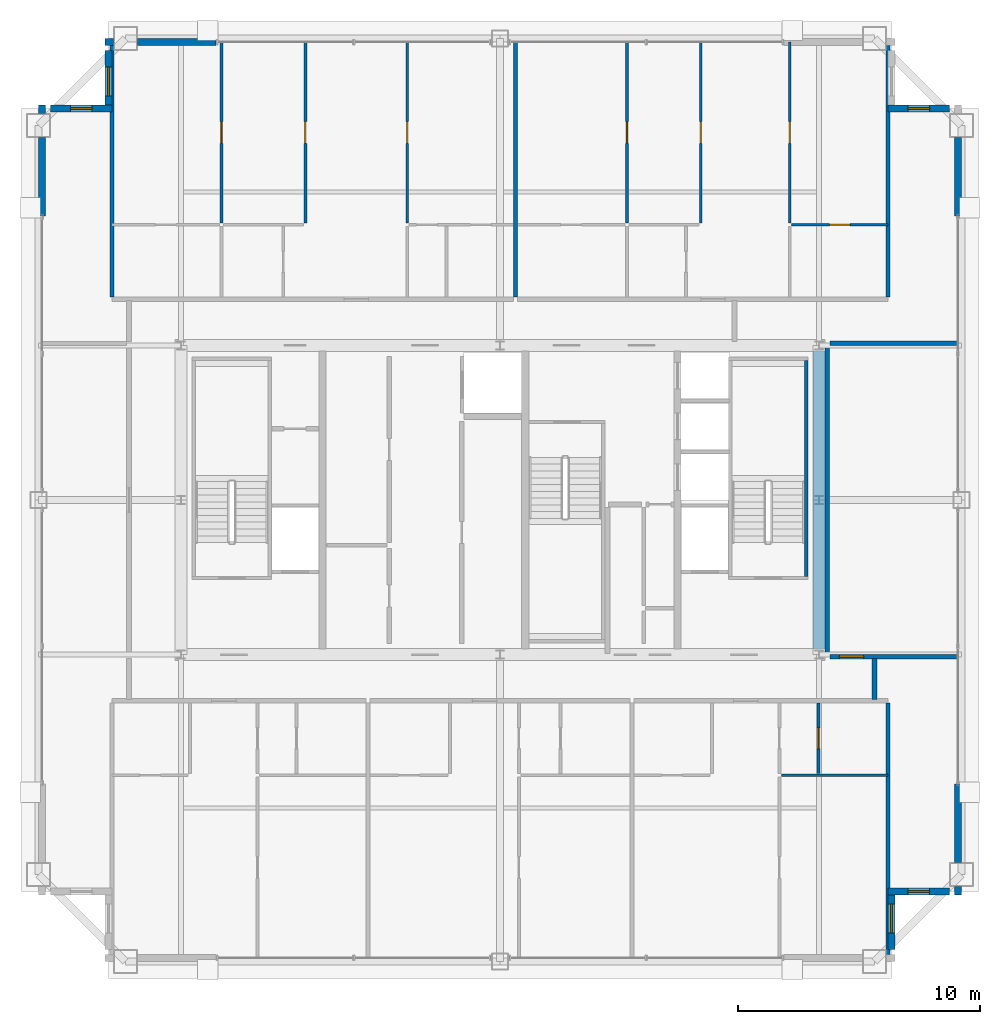
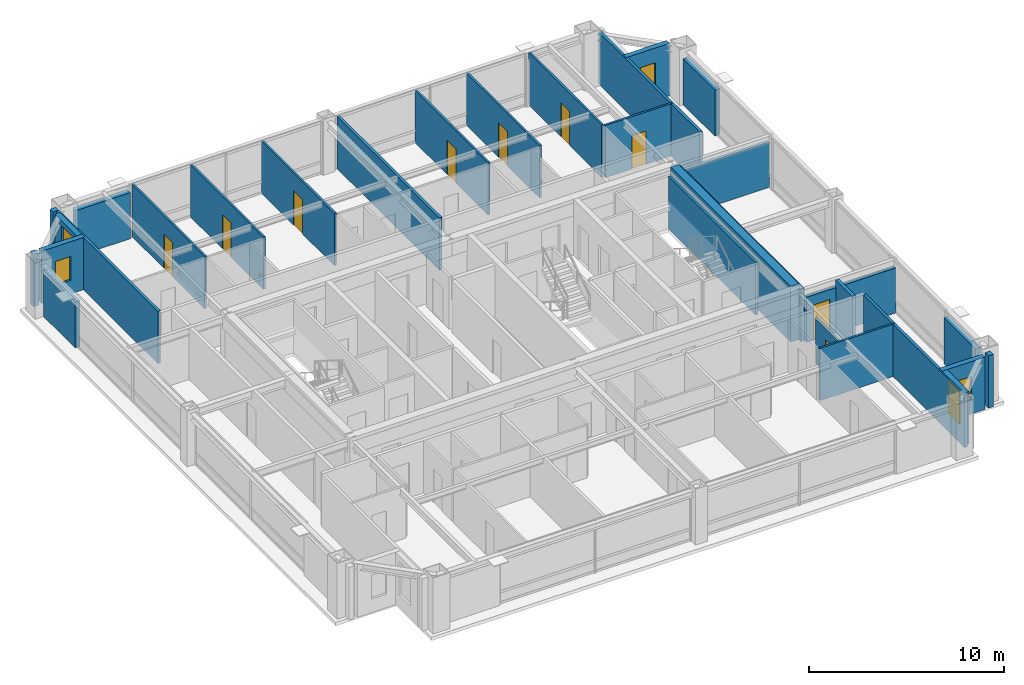
# One storey, part 33 of 35: 31 walls, 9 doors, 5 windows, 14 openings.
"""IFC4 building model written with IfcOpenShell, lengths in metres."""

import ifcopenshell
import ifcopenshell.guid

model = None  # the IFC model being written
_history = None  # IfcOwnerHistory: only IFC2X3 demands one
_inside = {}  # id of a spatial element -> (the spatial element, [elements in it])
_under = {}  # id of a project, library or spatial element -> (it, [spatial elements below it])
_declared = {}  # id of a project -> (the project, [libraries it declares])
_typed = {}  # id of a type object -> (the type object, [elements of that type])
_made_of = {}  # id of a material, layer set ... -> (it, [elements and type objects made of it])


def new_model(schema):
    """Start an empty IFC model of exactly this schema.

    Asked for "IFC4X3", IfcOpenShell would pick the latest addendum, in which some entities
    have other attributes; the version numbers below select the first issue.
    IFC2X3 requires an IfcOwnerHistory on every rooted entity: one is made here for all.
    """
    global model, _history
    if schema == "IFC4X3":
        model = ifcopenshell.file(schema_version=(4, 3, 0, 0))
    else:
        model = ifcopenshell.file(schema=schema)
    _inside.clear()
    _under.clear()
    _declared.clear()
    _typed.clear()
    _made_of.clear()
    _history = None
    if model.schema == "IFC2X3":
        org = make("IfcOrganization", Name="unknown")
        user = make(
            "IfcPersonAndOrganization",
            ThePerson=make("IfcPerson", FamilyName="unknown"),
            TheOrganization=org,
        )
        app = make(
            "IfcApplication",
            ApplicationDeveloper=org,
            Version="unknown",
            ApplicationFullName="unknown",
            ApplicationIdentifier="unknown",
        )
        _history = make(
            "IfcOwnerHistory",
            OwningUser=user,
            OwningApplication=app,
            ChangeAction="ADDED",
            CreationDate=0,
        )
    return model


def make(cls, **values):
    """One entity of the class cls with the attributes given. An attribute that is None is left unset."""
    return model.create_entity(
        cls, **{name: value for name, value in values.items() if value is not None}
    )


def rooted(cls, **values):
    """An entity with a GlobalId (a new one), such as an element, a storey or a relation."""
    return make(cls, GlobalId=ifcopenshell.guid.new(), OwnerHistory=_history, **values)


def si_unit(unit_type, name, prefix=None):
    """IfcSIUnit, for example si_unit("LENGTHUNIT", "METRE", prefix="MILLI")."""
    return make("IfcSIUnit", UnitType=unit_type, Prefix=prefix, Name=name)


def assignment(units):
    """IfcUnitAssignment: the units of a project."""
    return None if units is None else make("IfcUnitAssignment", Units=units)


def point(xyz):
    """IfcCartesianPoint."""
    return None if xyz is None else make("IfcCartesianPoint", Coordinates=xyz)


def direction(xyz):
    """IfcDirection."""
    return None if xyz is None else make("IfcDirection", DirectionRatios=xyz)


def frame(location, z_axis=None, x_axis=None):
    """IfcAxis2Placement3D, a coordinate frame: its origin and axes. An axis left out is left unset."""
    return make(
        "IfcAxis2Placement3D",
        Location=point(location),
        Axis=direction(z_axis),
        RefDirection=direction(x_axis),
    )


def frame_2d(location, x_axis=None):
    """IfcAxis2Placement2D, a coordinate frame in the plane: its origin and x axis."""
    return make(
        "IfcAxis2Placement2D", Location=point(location), RefDirection=direction(x_axis)
    )


def origin():
    """The frame at (0, 0, 0) with its axes left unset."""
    return frame((0.0, 0.0, 0.0))


def place(relative_to, where):
    """IfcLocalPlacement: puts the frame where relative to a parent placement (None: the world)."""
    return make(
        "IfcLocalPlacement", PlacementRelTo=relative_to, RelativePlacement=where
    )


def context(
    kind, dimensions, precision=None, world=None, true_north=None, identifier=None
):
    """IfcGeometricRepresentationContext, for example the 3D "Model" context."""
    return make(
        "IfcGeometricRepresentationContext",
        ContextIdentifier=identifier,
        ContextType=kind,
        CoordinateSpaceDimension=dimensions,
        Precision=precision,
        WorldCoordinateSystem=world,
        TrueNorth=true_north,
    )


def subcontext(parent, identifier, kind, view, scale=None):
    """IfcGeometricRepresentationSubContext, for example "Body" below "Model"."""
    return make(
        "IfcGeometricRepresentationSubContext",
        ContextIdentifier=identifier,
        ContextType=kind,
        ParentContext=parent,
        TargetScale=scale,
        TargetView=view,
    )


def project(units=None, contexts=None):
    """IfcProject with its units and contexts."""
    return rooted(
        "IfcProject",
        Name="project",
        RepresentationContexts=contexts,
        UnitsInContext=assignment(units),
    )


def spatial(cls, under=None, at=None, **own):
    """A site, building, storey or space (cls), placed at a placement, below another one or the project."""
    s = rooted(cls, ObjectPlacement=at, **own)
    if under is not None:
        _under.setdefault(under.id(), (under, []))[1].append(s)
    return s


def profile(cls, at=None, kind="AREA", **sizes):
    """A parametric profile (cls). Its sizes go by their IFC names, for example OverallWidth=200.0."""
    return make(cls, ProfileType=kind, Position=at, **sizes)


def rectangle(**sizes):
    """IfcRectangleProfileDef."""
    return profile("IfcRectangleProfileDef", **sizes)


def extrude(swept, where, along, depth):
    """IfcExtrudedAreaSolid: the profile swept, set in the frame where, extruded along a direction by depth."""
    return make(
        "IfcExtrudedAreaSolid",
        SweptArea=swept,
        Position=where,
        ExtrudedDirection=direction(along),
        Depth=depth,
    )


def shape(context_of_items, identifier, shape_type, items):
    """IfcShapeRepresentation: the items that make up one representation, for example the "Body"."""
    return make(
        "IfcShapeRepresentation",
        ContextOfItems=context_of_items,
        RepresentationIdentifier=identifier,
        RepresentationType=shape_type,
        Items=items,
    )


def source(mapping_origin, context_of_items, identifier, shape_type, items):
    """IfcRepresentationMap: a shape defined once, which mapped items show again and again."""
    return make(
        "IfcRepresentationMap",
        MappingOrigin=mapping_origin,
        MappedRepresentation=shape(context_of_items, identifier, shape_type, items),
    )


def transform(
    local_origin,
    x_axis=None,
    y_axis=None,
    z_axis=None,
    scale=None,
    scale2=None,
    scale3=None,
    uniform=True,
):
    """IfcCartesianTransformationOperator3D, or its non-uniform kind. x_axis, y_axis, z_axis: its Axis1, 2, 3."""
    if uniform:
        return make(
            "IfcCartesianTransformationOperator3D",
            Axis1=direction(x_axis),
            Axis2=direction(y_axis),
            LocalOrigin=point(local_origin),
            Scale=scale,
            Axis3=direction(z_axis),
        )
    return make(
        "IfcCartesianTransformationOperator3DnonUniform",
        Axis1=direction(x_axis),
        Axis2=direction(y_axis),
        LocalOrigin=point(local_origin),
        Scale=scale,
        Axis3=direction(z_axis),
        Scale2=scale2,
        Scale3=scale3,
    )


def mapped(mapping_source, mapping_target):
    """IfcMappedItem: shows the shape of a source again, moved by a transform."""
    return make(
        "IfcMappedItem", MappingSource=mapping_source, MappingTarget=mapping_target
    )


def material(Name=None, Category=None):
    """IfcMaterial."""
    return make("IfcMaterial", Name=Name, Category=Category)


def layer(
    of_material, thickness, ventilated=None, Name=None, Category=None, Priority=None
):
    """IfcMaterialLayer: one layer of a wall or slab, of a material (None: an air gap)."""
    return make(
        "IfcMaterialLayer",
        Material=of_material,
        LayerThickness=thickness,
        IsVentilated=ventilated,
        Name=Name,
        Category=Category,
        Priority=Priority,
    )


def layer_set(layers, Name=None):
    """IfcMaterialLayerSet."""
    return make("IfcMaterialLayerSet", MaterialLayers=layers, LayerSetName=Name)


def made_of(thing, what):
    """Note that an element or type object is made of a material, layer set ...; save() writes the relation."""
    if what is not None:
        _made_of.setdefault(what.id(), (what, []))[1].append(thing)
    return thing


def type_object(cls, material=None, **own):
    """A type object (cls), such as IfcWallType, which elements share."""
    return made_of(rooted(cls, **own), material)


def element(
    cls,
    number,
    at=None,
    inside=None,
    cuts=None,
    type_object=None,
    material=None,
    context=None,
    identifier="Body",
    shape_type=None,
    held_by="IfcProductDefinitionShape",
    body=None,
    shapes=None,
    **own,
):
    """One element of the class cls, such as IfcWall. Its Tag is "e" and its number.

    at: its placement. inside: the storey or other place that contains it. cuts: it is an
    opening in that element (IfcRelVoidsElement). A single representation is given by context,
    identifier, shape_type and body (its items); several are given by shapes. held_by: the class
    of the entity that holds the representations. save() writes the other relations.
    """
    e = rooted(cls, Tag="e%d" % number, ObjectPlacement=at, **own)
    if body is not None:
        shapes = [shape(context, identifier, shape_type, body)]
    if shapes is not None:
        e.Representation = make(held_by, Representations=shapes)
    if inside is not None:
        _inside.setdefault(inside.id(), (inside, []))[1].append(e)
    if cuts is not None:
        rooted(
            "IfcRelVoidsElement", RelatingBuildingElement=cuts, RelatedOpeningElement=e
        )
    if type_object is not None:
        _typed.setdefault(type_object.id(), (type_object, []))[1].append(e)
    return made_of(e, material)


def fill(opening, filler):
    """IfcRelFillsElement: the door or window that sits in an opening."""
    return rooted(
        "IfcRelFillsElement",
        RelatingOpeningElement=opening,
        RelatedBuildingElement=filler,
    )


def aggregate(whole, parts):
    """IfcRelAggregates: a whole, such as a stair, and the parts it consists of."""
    return rooted("IfcRelAggregates", RelatingObject=whole, RelatedObjects=parts)


def save(model, path):
    """Write the relations noted so far, then the file.

    IfcRelAggregates (storeys below a building ...), IfcRelContainedInSpatialStructure (elements
    in a storey), IfcRelDefinesByType, IfcRelAssociatesMaterial and IfcRelDeclares: one each for
    every whole, place, type object, material and project.
    """
    for whole, parts in _under.values():
        aggregate(whole, parts)
    for where, things in _inside.values():
        rooted(
            "IfcRelContainedInSpatialStructure",
            RelatedElements=things,
            RelatingStructure=where,
        )
    for kind, things in _typed.values():
        rooted("IfcRelDefinesByType", RelatedObjects=things, RelatingType=kind)
    for what, things in _made_of.values():
        rooted("IfcRelAssociatesMaterial", RelatedObjects=things, RelatingMaterial=what)
    for by, libraries in _declared.values():
        rooted("IfcRelDeclares", RelatingContext=by, RelatedDefinitions=libraries)
    model.write(path)


model = new_model("IFC4")

# Units and contexts
model_context = context("Model", 3, precision=1e-05, world=origin(), true_north=direction((0.0, 1.0)))
body_context = subcontext(model_context, "Body", "Model", "MODEL_VIEW")
ifc_project = project(units=[si_unit("LENGTHUNIT", "METRE"), si_unit("AREAUNIT", "SQUARE_METRE"), si_unit("VOLUMEUNIT", "CUBIC_METRE"), si_unit("PLANEANGLEUNIT", "RADIAN"), si_unit("MASSUNIT", "GRAM", prefix="KILO"), si_unit("THERMODYNAMICTEMPERATUREUNIT", "KELVIN"), si_unit("POWERUNIT", "WATT")], contexts=[model_context])

# Site, building, storey
site_placement = place(None, origin())
site = spatial("IfcSite", under=ifc_project, at=site_placement, CompositionType="ELEMENT")
building_placement = place(site_placement, origin())
building = spatial("IfcBuilding", under=site, at=building_placement, Name="Yuzanri Waterfront Tower", CompositionType="ELEMENT")
storey_placement = place(building_placement, frame((0.0, 0.0, 289.10009765625)))
storey = spatial("IfcBuildingStorey", under=building, at=storey_placement, Name="L77", CompositionType="ELEMENT", Elevation=289.10009765625)

# Wall, opening, door
ifc_material_1 = material(Name="Moisture-Resistant Gypsum Stud Wall", Category="gypsum")
ifc_layer_1 = layer(ifc_material_1, 0.1201171875)
ifc_layer_set_1 = layer_set([ifc_layer_1], Name="Moisture-Resistant Gypsum Stud Wall")
wall_type_1 = type_object("IfcWallType", Name="Bathroom and Kitchen Wet Partition 120", PredefinedType="PARTITIONING", material=ifc_layer_set_1)
wall_1_placement = place(storey_placement, frame((50.179931640625, 14.489990234375, 0.0), z_axis=(0.0, 0.0, 1.0), x_axis=(0.0, 1.0, 0.0)))
wall_1 = element("IfcWall", 1, at=wall_1_placement, inside=storey, type_object=wall_type_1, Name="L77 Partition UW-L77-HS3-SUB-2-W", PredefinedType="PARTITIONING", context=body_context, shape_type="SweptSolid", body=[
    extrude(rectangle(XDim=2.89990234375, YDim=0.1201171875, at=frame_2d((1.449951171875, 0.0))), origin(), (0.0, 0.0, 1.0), 2.824951171875),
])
opening_1_placement = place(wall_1_placement, frame((1.02490234375, 0.0, 0.0)))
opening_1 = element("IfcOpeningElement", 2, at=opening_1_placement, cuts=wall_1, Name="Opening ID-0850", PredefinedType="OPENING", context=body_context, shape_type="SweptSolid", body=[
    extrude(rectangle(XDim=0.85009765625, YDim=2.10009765625, at=frame_2d((0.425048828125, 1.050048828125))), frame((0.0, 0.074951171875, 0.0), z_axis=(0.0, -1.0, 0.0), x_axis=(1.0, 0.0, 0.0)), (0.0, 0.0, 1.0), 0.14990234375),
])
ifc_material_2 = material(Name="Moisture-Resistant Lacquered Timber", Category="wood")
door_type_1 = type_object("IfcDoorType", Name="En-Suite Bathroom and Kitchen Swing Door 850x2100", OperationType="NOTDEFINED", PredefinedType="DOOR", material=ifc_material_2)
shared_shape_1 = source(origin(), body_context, "Body", "SweptSolid", [
    extrude(rectangle(XDim=0.85009765625, YDim=2.10009765625, at=frame_2d((0.425048828125, 1.050048828125))), frame((0.0, 0.02490234375, 0.0), z_axis=(0.0, -1.0, 0.0), x_axis=(1.0, 0.0, 0.0)), (0.0, 0.0, 1.0), 0.050048828125),
])
door_1_placement = place(opening_1_placement, origin())
door_1 = element("IfcDoor", 3, at=door_1_placement, inside=storey, type_object=door_type_1, Name="L77 Suite Interior Room Door", OperationType="SINGLE_SWING_LEFT", OverallHeight=2.10009765625, OverallWidth=0.85009765625, PredefinedType="DOOR", context=body_context, shape_type="MappedRepresentation", body=[
    mapped(shared_shape_1, transform((0.0, 0.0, 0.0), scale=1.0)),
])
fill(opening_1, door_1)

wall_2_placement = place(storey_placement, frame((25.469970703125, 37.27001953125, 0.0), z_axis=(0.0, 0.0, 1.0), x_axis=(0.0, 1.0, 0.0)))
wall_2 = element("IfcWall", 4, at=wall_2_placement, inside=storey, type_object=wall_type_1, Name="L77 Partition UW-L77-HN1-SUB-5-E", PredefinedType="PARTITIONING", context=body_context, shape_type="SweptSolid", body=[
    extrude(rectangle(XDim=7.47998046875, YDim=0.1201171875, at=frame_2d((3.739990234375, 0.0))), origin(), (0.0, 0.0, 1.0), 3.27978515625),
])
opening_2_placement = place(wall_2_placement, frame((3.2900390625, 0.0, 0.0)))
opening_2 = element("IfcOpeningElement", 5, at=opening_2_placement, cuts=wall_2, Name="Opening ID-0900", PredefinedType="OPENING", context=body_context, shape_type="SweptSolid", body=[
    extrude(rectangle(XDim=0.89990234375, YDim=2.14990234375, at=frame_2d((0.449951171875, 1.074951171875))), frame((0.0, 0.074951171875, 0.0), z_axis=(0.0, -1.0, 0.0), x_axis=(1.0, 0.0, 0.0)), (0.0, 0.0, 1.0), 0.14990234375),
])
ifc_material_3 = material(Name="Stained Walnut Veneer Timber", Category="wood")
door_type_2 = type_object("IfcDoorType", Name="Bedroom and Study Interior Swing Door 900x2150", OperationType="NOTDEFINED", PredefinedType="DOOR", material=ifc_material_3)
shared_shape_2 = source(origin(), body_context, "Body", "SweptSolid", [
    extrude(rectangle(XDim=0.89990234375, YDim=2.14990234375, at=frame_2d((0.449951171875, 1.074951171875))), frame((0.0, 0.02490234375, 0.0), z_axis=(0.0, -1.0, 0.0), x_axis=(1.0, 0.0, 0.0)), (0.0, 0.0, 1.0), 0.050048828125),
])
door_2_placement = place(opening_2_placement, origin())
door_2 = element("IfcDoor", 6, at=door_2_placement, inside=storey, type_object=door_type_2, Name="L77 Suite Interior Room Door", OperationType="SINGLE_SWING_LEFT", OverallHeight=2.14990234375, OverallWidth=0.89990234375, PredefinedType="DOOR", context=body_context, shape_type="MappedRepresentation", body=[
    mapped(shared_shape_2, transform((0.0, 0.0, 0.0), scale=1.0)),
])
fill(opening_2, door_2)

wall_3_placement = place(storey_placement, frame((33.159912109375, 37.27001953125, 0.0), z_axis=(0.0, 0.0, 1.0), x_axis=(0.0, 1.0, 0.0)))
wall_3 = element("IfcWall", 7, at=wall_3_placement, inside=storey, type_object=wall_type_1, Name="L77 Partition UW-L77-HN1-SUB-6-W", PredefinedType="PARTITIONING", context=body_context, shape_type="SweptSolid", body=[
    extrude(rectangle(XDim=7.47998046875, YDim=0.1201171875, at=frame_2d((3.739990234375, 0.0))), origin(), (0.0, 0.0, 1.0), 3.27978515625),
])
opening_3_placement = place(wall_3_placement, frame((3.2900390625, 0.0, 0.0)))
opening_3 = element("IfcOpeningElement", 8, at=opening_3_placement, cuts=wall_3, Name="Opening ID-0900", PredefinedType="OPENING", context=body_context, shape_type="SweptSolid", body=[
    extrude(rectangle(XDim=0.89990234375, YDim=2.14990234375, at=frame_2d((0.449951171875, 1.074951171875))), frame((0.0, 0.074951171875, 0.0), z_axis=(0.0, -1.0, 0.0), x_axis=(1.0, 0.0, 0.0)), (0.0, 0.0, 1.0), 0.14990234375),
])
door_3_placement = place(opening_3_placement, origin())
door_3 = element("IfcDoor", 9, at=door_3_placement, inside=storey, type_object=door_type_2, Name="L77 Suite Interior Room Door", OperationType="SINGLE_SWING_RIGHT", OverallHeight=2.14990234375, OverallWidth=0.89990234375, PredefinedType="DOOR", context=body_context, shape_type="MappedRepresentation", body=[
    mapped(shared_shape_2, transform((0.0, 0.0, 0.0), scale=1.0)),
])
fill(opening_3, door_3)

wall_4_placement = place(storey_placement, frame((28.943115234375, 37.27001953125, 0.0), z_axis=(0.0, 0.0, 1.0), x_axis=(0.0, 1.0, 0.0)))
wall_4 = element("IfcWall", 10, at=wall_4_placement, inside=storey, type_object=wall_type_1, Name="L77 Partition UW-L77-HN1-SUB-7-E", PredefinedType="PARTITIONING", context=body_context, shape_type="SweptSolid", body=[
    extrude(rectangle(XDim=7.47998046875, YDim=0.1201171875, at=frame_2d((3.739990234375, 0.0))), origin(), (0.0, 0.0, 1.0), 3.27978515625),
])
opening_4_placement = place(wall_4_placement, frame((3.2900390625, 0.0, 0.0)))
opening_4 = element("IfcOpeningElement", 11, at=opening_4_placement, cuts=wall_4, Name="Opening ID-0900", PredefinedType="OPENING", context=body_context, shape_type="SweptSolid", body=[
    extrude(rectangle(XDim=0.89990234375, YDim=2.14990234375, at=frame_2d((0.449951171875, 1.074951171875))), frame((0.0, 0.074951171875, 0.0), z_axis=(0.0, -1.0, 0.0), x_axis=(1.0, 0.0, 0.0)), (0.0, 0.0, 1.0), 0.14990234375),
])
door_4_placement = place(opening_4_placement, origin())
door_4 = element("IfcDoor", 12, at=door_4_placement, inside=storey, type_object=door_type_2, Name="L77 Suite Interior Room Door", OperationType="SINGLE_SWING_LEFT", OverallHeight=2.14990234375, OverallWidth=0.89990234375, PredefinedType="DOOR", context=body_context, shape_type="MappedRepresentation", body=[
    mapped(shared_shape_2, transform((0.0, 0.0, 0.0), scale=1.0)),
])
fill(opening_4, door_4)

wall_5_placement = place(storey_placement, frame((49.072021484375, 37.18994140625, 0.0), z_axis=(0.0, 0.0, 1.0), x_axis=(1.0, 0.0, 0.0)))
wall_5 = element("IfcWall", 13, at=wall_5_placement, inside=storey, type_object=wall_type_1, Name="L77 Partition UW-L77-HN2-SUB-3-N", PredefinedType="PARTITIONING", context=body_context, shape_type="SweptSolid", body=[
    extrude(rectangle(XDim=3.988037109375, YDim=0.1201171875, at=frame_2d((1.994140625, 0.0))), origin(), (0.0, 0.0, 1.0), 3.27978515625),
])
opening_5_placement = place(wall_5_placement, frame((1.569091796875, 0.0, 0.0)))
opening_5 = element("IfcOpeningElement", 14, at=opening_5_placement, cuts=wall_5, Name="Opening ID-0850", PredefinedType="OPENING", context=body_context, shape_type="SweptSolid", body=[
    extrude(rectangle(XDim=0.85009765625, YDim=2.10009765625, at=frame_2d((0.425048828125, 1.050048828125))), frame((0.0, 0.074951171875, 0.0), z_axis=(0.0, -1.0, 0.0), x_axis=(1.0, 0.0, 0.0)), (0.0, 0.0, 1.0), 0.14990234375),
])
door_5_placement = place(opening_5_placement, origin())
door_5 = element("IfcDoor", 15, at=door_5_placement, inside=storey, type_object=door_type_1, Name="L77 Suite Interior Room Door", OperationType="SINGLE_SWING_LEFT", OverallHeight=2.10009765625, OverallWidth=0.85009765625, PredefinedType="DOOR", context=body_context, shape_type="MappedRepresentation", body=[
    mapped(shared_shape_1, transform((0.0, 0.0, 0.0), scale=1.0)),
])
fill(opening_5, door_5)

wall_6_placement = place(storey_placement, frame((42.251953125, 37.27001953125, 0.0), z_axis=(0.0, 0.0, 1.0), x_axis=(0.0, 1.0, 0.0)))
wall_6 = element("IfcWall", 16, at=wall_6_placement, inside=storey, type_object=wall_type_1, Name="L77 Partition UW-L77-HN2-SUB-4-E", PredefinedType="PARTITIONING", context=body_context, shape_type="SweptSolid", body=[
    extrude(rectangle(XDim=7.47998046875, YDim=0.1201171875, at=frame_2d((3.739990234375, 0.0))), origin(), (0.0, 0.0, 1.0), 3.27978515625),
])
opening_6_placement = place(wall_6_placement, frame((3.2900390625, 0.0, 0.0)))
opening_6 = element("IfcOpeningElement", 17, at=opening_6_placement, cuts=wall_6, Name="Opening ID-0900", PredefinedType="OPENING", context=body_context, shape_type="SweptSolid", body=[
    extrude(rectangle(XDim=0.89990234375, YDim=2.14990234375, at=frame_2d((0.449951171875, 1.074951171875))), frame((0.0, 0.074951171875, 0.0), z_axis=(0.0, -1.0, 0.0), x_axis=(1.0, 0.0, 0.0)), (0.0, 0.0, 1.0), 0.14990234375),
])
door_6_placement = place(opening_6_placement, origin())
door_6 = element("IfcDoor", 18, at=door_6_placement, inside=storey, type_object=door_type_2, Name="L77 Suite Interior Room Door", OperationType="SINGLE_SWING_RIGHT", OverallHeight=2.14990234375, OverallWidth=0.89990234375, PredefinedType="DOOR", context=body_context, shape_type="MappedRepresentation", body=[
    mapped(shared_shape_2, transform((0.0, 0.0, 0.0), scale=1.0)),
])
fill(opening_6, door_6)

wall_7_placement = place(storey_placement, frame((48.991943359375, 37.27001953125, 0.0), z_axis=(0.0, 0.0, 1.0), x_axis=(0.0, 1.0, 0.0)))
wall_7 = element("IfcWall", 19, at=wall_7_placement, inside=storey, type_object=wall_type_1, Name="L77 Partition UW-L77-HN2-SUB-5-W", PredefinedType="PARTITIONING", context=body_context, shape_type="SweptSolid", body=[
    extrude(rectangle(XDim=7.47998046875, YDim=0.1201171875, at=frame_2d((3.739990234375, 0.0))), origin(), (0.0, 0.0, 1.0), 3.27978515625),
])
opening_7_placement = place(wall_7_placement, frame((3.2900390625, 0.0, 0.0)))
opening_7 = element("IfcOpeningElement", 20, at=opening_7_placement, cuts=wall_7, Name="Opening ID-0900", PredefinedType="OPENING", context=body_context, shape_type="SweptSolid", body=[
    extrude(rectangle(XDim=0.89990234375, YDim=2.14990234375, at=frame_2d((0.449951171875, 1.074951171875))), frame((0.0, 0.074951171875, 0.0), z_axis=(0.0, -1.0, 0.0), x_axis=(1.0, 0.0, 0.0)), (0.0, 0.0, 1.0), 0.14990234375),
])
door_7_placement = place(opening_7_placement, origin())
door_7 = element("IfcDoor", 21, at=door_7_placement, inside=storey, type_object=door_type_2, Name="L77 Suite Interior Room Door", OperationType="SINGLE_SWING_LEFT", OverallHeight=2.14990234375, OverallWidth=0.89990234375, PredefinedType="DOOR", context=body_context, shape_type="MappedRepresentation", body=[
    mapped(shared_shape_2, transform((0.0, 0.0, 0.0), scale=1.0)),
])
fill(opening_7, door_7)

wall_8_placement = place(storey_placement, frame((45.306884765625, 37.27001953125, 0.0), z_axis=(0.0, 0.0, 1.0), x_axis=(0.0, 1.0, 0.0)))
wall_8 = element("IfcWall", 22, at=wall_8_placement, inside=storey, type_object=wall_type_1, Name="L77 Partition UW-L77-HN2-SUB-6-E", PredefinedType="PARTITIONING", context=body_context, shape_type="SweptSolid", body=[
    extrude(rectangle(XDim=7.47998046875, YDim=0.1201171875, at=frame_2d((3.739990234375, 0.0))), origin(), (0.0, 0.0, 1.0), 3.27978515625),
])
opening_8_placement = place(wall_8_placement, frame((3.2900390625, 0.0, 0.0)))
opening_8 = element("IfcOpeningElement", 23, at=opening_8_placement, cuts=wall_8, Name="Opening ID-0900", PredefinedType="OPENING", context=body_context, shape_type="SweptSolid", body=[
    extrude(rectangle(XDim=0.89990234375, YDim=2.14990234375, at=frame_2d((0.449951171875, 1.074951171875))), frame((0.0, 0.074951171875, 0.0), z_axis=(0.0, -1.0, 0.0), x_axis=(1.0, 0.0, 0.0)), (0.0, 0.0, 1.0), 0.14990234375),
])
door_8_placement = place(opening_8_placement, origin())
door_8 = element("IfcDoor", 24, at=door_8_placement, inside=storey, type_object=door_type_2, Name="L77 Suite Interior Room Door", OperationType="SINGLE_SWING_RIGHT", OverallHeight=2.14990234375, OverallWidth=0.89990234375, PredefinedType="DOOR", context=body_context, shape_type="MappedRepresentation", body=[
    mapped(shared_shape_2, transform((0.0, 0.0, 0.0), scale=1.0)),
])
fill(opening_8, door_8)

# Wall, opening, window
ifc_material_4 = material(Name="Honed Chongqing Dark Basalt Stone", Category="masonry")
ifc_layer_2 = layer(ifc_material_4, 0.300048828125)
ifc_layer_set_2 = layer_set([ifc_layer_2], Name="Honed Chongqing Dark Basalt Stone")
wall_type_2 = type_object("IfcWallType", Name="Bronze Rainscreen Insulated Spandrel Portal Wall 300", PredefinedType="SOLIDWALL", material=ifc_layer_set_2)
wall_9_placement = place(storey_placement, frame((53.050048828125, 9.60009765625, 0.0), z_axis=(0.0, 0.0, 1.0), x_axis=(1.0, 0.0, 0.0)))
wall_9 = element("IfcWall", 25, at=wall_9_placement, inside=storey, type_object=wall_type_2, Name="L77 Notched Corner Masonry Wall SE-X", PredefinedType="SOLIDWALL", context=body_context, shape_type="SweptSolid", body=[
    extrude(rectangle(XDim=2.550048828125, YDim=0.300048828125, at=frame_2d((1.27490234375, 0.0))), origin(), (0.0, 0.0, 1.0), 3.27978515625),
])
opening_9_placement = place(wall_9_placement, frame((0.824951171875, 0.0, 0.85009765625)))
opening_9 = element("IfcOpeningElement", 26, at=opening_9_placement, cuts=wall_9, Name="Opening WN-05", PredefinedType="OPENING", context=body_context, shape_type="SweptSolid", body=[
    extrude(rectangle(XDim=0.89990234375, YDim=1.5, at=frame_2d((0.449951171875, 0.75))), frame((0.0, 0.1650390625, 0.0), z_axis=(0.0, -1.0, 0.0), x_axis=(1.0, 0.0, 0.0)), (0.0, 0.0, 1.0), 0.329833984375),
])
ifc_material_5 = material(Name="Double-Silver Low-E Insulated Glass", Category="glass")
window_type_1 = type_object("IfcWindowType", Name="Anodized Bronze Service and Stairwell Smoke-Vent Window 900x1500", PartitioningType="SINGLE_PANEL", PredefinedType="WINDOW", material=ifc_material_5)
shared_shape_3 = source(origin(), body_context, "Body", "SweptSolid", [
    extrude(rectangle(XDim=0.89990234375, YDim=1.5, at=frame_2d((0.449951171875, 0.75))), frame((0.0, 0.030029296875, 0.0), z_axis=(0.0, -1.0, 0.0), x_axis=(1.0, 0.0, 0.0)), (0.0, 0.0, 1.0), 0.06005859375),
])
window_1_placement = place(opening_9_placement, origin())
window_1 = element("IfcWindow", 27, at=window_1_placement, inside=storey, type_object=window_type_1, Name="L77 Notched Corner Window SE-X", OverallHeight=1.5, OverallWidth=0.89990234375, PartitioningType="SINGLE_PANEL", PredefinedType="WINDOW", context=body_context, shape_type="MappedRepresentation", body=[
    mapped(shared_shape_3, transform((0.0, 0.0, 0.0), scale=1.0)),
])
fill(opening_9, window_1)

wall_10_placement = place(storey_placement, frame((53.199951171875, 7.199951171875, 0.0), z_axis=(0.0, 0.0, 1.0), x_axis=(0.0, 1.0, 0.0)))
wall_10 = element("IfcWall", 28, at=wall_10_placement, inside=storey, type_object=wall_type_2, Name="L77 Notched Corner Masonry Wall SE-Y", PredefinedType="SOLIDWALL", context=body_context, shape_type="SweptSolid", body=[
    extrude(rectangle(XDim=2.550048828125, YDim=0.300048828125, at=frame_2d((1.27490234375, 0.0))), origin(), (0.0, 0.0, 1.0), 3.27978515625),
])
opening_10_placement = place(wall_10_placement, frame((0.675048828125, 0.0, 0.85009765625)))
opening_10 = element("IfcOpeningElement", 29, at=opening_10_placement, cuts=wall_10, Name="Opening WN-02", PredefinedType="OPENING", context=body_context, shape_type="SweptSolid", body=[
    extrude(rectangle(XDim=1.199951171875, YDim=2.10009765625, at=frame_2d((0.60009765625, 1.050048828125))), frame((0.0, 0.1650390625, 0.0), z_axis=(0.0, -1.0, 0.0), x_axis=(1.0, 0.0, 0.0)), (0.0, 0.0, 1.0), 0.329833984375),
])
ifc_material_6 = material(Name="Double-Silver Low-E Insulated Glass", Category="glass")
window_type_2 = type_object("IfcWindowType", Name="Anodized Bronze Notched Corner Deep-Set Slot Window 1200x2100", PartitioningType="SINGLE_PANEL", PredefinedType="WINDOW", material=ifc_material_6)
shared_shape_4 = source(origin(), body_context, "Body", "SweptSolid", [
    extrude(rectangle(XDim=1.199951171875, YDim=2.10009765625, at=frame_2d((0.60009765625, 1.050048828125))), frame((0.0, 0.030029296875, 0.0), z_axis=(0.0, -1.0, 0.0), x_axis=(1.0, 0.0, 0.0)), (0.0, 0.0, 1.0), 0.06005859375),
])
window_2_placement = place(opening_10_placement, origin())
window_2 = element("IfcWindow", 30, at=window_2_placement, inside=storey, type_object=window_type_2, Name="L77 Notched Corner Window SE-Y", OverallHeight=2.10009765625, OverallWidth=1.199951171875, PartitioningType="SINGLE_PANEL", PredefinedType="WINDOW", context=body_context, shape_type="MappedRepresentation", body=[
    mapped(shared_shape_4, transform((0.0, 0.0, 0.0), scale=1.0)),
])
fill(opening_10, window_2)

wall_11_placement = place(storey_placement, frame((20.949951171875, 42.0, 0.0), z_axis=(0.0, 0.0, 1.0), x_axis=(-1.0, 0.0, 0.0)))
wall_11 = element("IfcWall", 31, at=wall_11_placement, inside=storey, type_object=wall_type_2, Name="L77 Notched Corner Masonry Wall NW-X", PredefinedType="SOLIDWALL", context=body_context, shape_type="SweptSolid", body=[
    extrude(rectangle(XDim=2.550048828125, YDim=0.300048828125, at=frame_2d((1.27490234375, 0.0))), origin(), (0.0, 0.0, 1.0), 3.27978515625),
])
opening_11_placement = place(wall_11_placement, frame((0.824951171875, 0.0, 0.85009765625)))
opening_11 = element("IfcOpeningElement", 32, at=opening_11_placement, cuts=wall_11, Name="Opening WN-05", PredefinedType="OPENING", context=body_context, shape_type="SweptSolid", body=[
    extrude(rectangle(XDim=0.89990234375, YDim=1.5, at=frame_2d((0.449951171875, 0.75))), frame((0.0, 0.1650390625, 0.0), z_axis=(0.0, -1.0, 0.0), x_axis=(1.0, 0.0, 0.0)), (0.0, 0.0, 1.0), 0.329833984375),
])
window_3_placement = place(opening_11_placement, origin())
window_3 = element("IfcWindow", 33, at=window_3_placement, inside=storey, type_object=window_type_1, Name="L77 Notched Corner Window NW-X", OverallHeight=1.5, OverallWidth=0.89990234375, PartitioningType="SINGLE_PANEL", PredefinedType="WINDOW", context=body_context, shape_type="MappedRepresentation", body=[
    mapped(shared_shape_3, transform((0.0, 0.0, 0.0), scale=1.0)),
])
fill(opening_11, window_3)

wall_12_placement = place(storey_placement, frame((20.800048828125, 44.39990234375, 0.0), z_axis=(0.0, 0.0, 1.0), x_axis=(0.0, -1.0, 0.0)))
wall_12 = element("IfcWall", 34, at=wall_12_placement, inside=storey, type_object=wall_type_2, Name="L77 Notched Corner Masonry Wall NW-Y", PredefinedType="SOLIDWALL", context=body_context, shape_type="SweptSolid", body=[
    extrude(rectangle(XDim=2.5498046875, YDim=0.300048828125, at=frame_2d((1.27490234375, 0.0))), origin(), (0.0, 0.0, 1.0), 3.27978515625),
])
opening_12_placement = place(wall_12_placement, frame((0.675048828125, 0.0, 0.85009765625)))
opening_12 = element("IfcOpeningElement", 35, at=opening_12_placement, cuts=wall_12, Name="Opening WN-02", PredefinedType="OPENING", context=body_context, shape_type="SweptSolid", body=[
    extrude(rectangle(XDim=1.199951171875, YDim=2.10009765625, at=frame_2d((0.60009765625, 1.050048828125))), frame((0.0, 0.1650390625, 0.0), z_axis=(0.0, -1.0, 0.0), x_axis=(1.0, 0.0, 0.0)), (0.0, 0.0, 1.0), 0.329833984375),
])
window_4_placement = place(opening_12_placement, origin())
window_4 = element("IfcWindow", 36, at=window_4_placement, inside=storey, type_object=window_type_2, Name="L77 Notched Corner Window NW-Y", OverallHeight=2.10009765625, OverallWidth=1.199951171875, PartitioningType="SINGLE_PANEL", PredefinedType="WINDOW", context=body_context, shape_type="MappedRepresentation", body=[
    mapped(shared_shape_4, transform((0.0, 0.0, 0.0), scale=1.0)),
])
fill(opening_12, window_4)

wall_13_placement = place(storey_placement, frame((55.60009765625, 42.0, 0.0), z_axis=(0.0, 0.0, 1.0), x_axis=(-1.0, 0.0, 0.0)))
wall_13 = element("IfcWall", 37, at=wall_13_placement, inside=storey, type_object=wall_type_2, Name="L77 Notched Corner Masonry Wall NE-X", PredefinedType="SOLIDWALL", context=body_context, shape_type="SweptSolid", body=[
    extrude(rectangle(XDim=2.550048828125, YDim=0.300048828125, at=frame_2d((1.27490234375, 0.0))), origin(), (0.0, 0.0, 1.0), 3.27978515625),
])
opening_13_placement = place(wall_13_placement, frame((0.824951171875, 0.0, 0.85009765625)))
opening_13 = element("IfcOpeningElement", 38, at=opening_13_placement, cuts=wall_13, Name="Opening WN-05", PredefinedType="OPENING", context=body_context, shape_type="SweptSolid", body=[
    extrude(rectangle(XDim=0.89990234375, YDim=1.5, at=frame_2d((0.449951171875, 0.75))), frame((0.0, 0.1650390625, 0.0), z_axis=(0.0, -1.0, 0.0), x_axis=(1.0, 0.0, 0.0)), (0.0, 0.0, 1.0), 0.329833984375),
])
window_5_placement = place(opening_13_placement, origin())
window_5 = element("IfcWindow", 39, at=window_5_placement, inside=storey, type_object=window_type_1, Name="L77 Notched Corner Window NE-X", OverallHeight=1.5, OverallWidth=0.89990234375, PartitioningType="SINGLE_PANEL", PredefinedType="WINDOW", context=body_context, shape_type="MappedRepresentation", body=[
    mapped(shared_shape_3, transform((0.0, 0.0, 0.0), scale=1.0)),
])
fill(opening_13, window_5)

# Wall, opening, door
ifc_material_7 = material(Name="Autoclaved Aerated Concrete Blockwork", Category="masonry")
ifc_layer_3 = layer(ifc_material_7, 0.199951171875)
ifc_layer_set_3 = layer_set([ifc_layer_3], Name="Autoclaved Aerated Concrete Blockwork")
wall_type_3 = type_object("IfcWallType", Name="Corridor and Unit Party Fire Wall 200", PredefinedType="PARTITIONING", material=ifc_layer_set_3)
wall_14_placement = place(storey_placement, frame((50.64990234375, 19.31005859375, 0.0), z_axis=(0.0, 0.0, 1.0), x_axis=(1.0, 0.0, 0.0)))
wall_14 = element("IfcWall", 40, at=wall_14_placement, inside=storey, type_object=wall_type_3, Name="L77 Partition UW-L77-051-CS", PredefinedType="PARTITIONING", context=body_context, shape_type="SweptSolid", body=[
    extrude(rectangle(XDim=5.300048828125, YDim=0.199951171875, at=frame_2d((2.64990234375, 0.0))), origin(), (0.0, 0.0, 1.0), 2.824951171875),
])
opening_14_placement = place(wall_14_placement, frame((0.39990234375, 0.0, 0.0)))
opening_14 = element("IfcOpeningElement", 41, at=opening_14_placement, cuts=wall_14, Name="Opening FD-1000", PredefinedType="OPENING", context=body_context, shape_type="SweptSolid", body=[
    extrude(rectangle(XDim=1.0, YDim=2.199951171875, at=frame_2d((0.5, 1.10009765625))), frame((0.0, 0.11474609375, 0.0), z_axis=(0.0, -1.0, 0.0), x_axis=(1.0, 0.0, 0.0)), (0.0, 0.0, 1.0), 0.229736328125),
])
ifc_material_8 = material(Name="Engineered Oak Fire-Rated Timber", Category="wood")
door_type_3 = type_object("IfcDoorType", Name="Guestroom and Apartment Entrance Fire Door 1000x2200", OperationType="NOTDEFINED", PredefinedType="DOOR", material=ifc_material_8)
shared_shape_5 = source(origin(), body_context, "Body", "SweptSolid", [
    extrude(rectangle(XDim=1.0, YDim=2.199951171875, at=frame_2d((0.5, 1.10009765625))), frame((0.0, 0.02490234375, 0.0), z_axis=(0.0, -1.0, 0.0), x_axis=(1.0, 0.0, 0.0)), (0.0, 0.0, 1.0), 0.050048828125),
])
door_9_placement = place(opening_14_placement, origin())
door_9 = element("IfcDoor", 42, at=door_9_placement, inside=storey, type_object=door_type_3, Name="L77 High-Rise E Horizon Club Room Entrance Door", OperationType="SINGLE_SWING_RIGHT", OverallHeight=2.199951171875, OverallWidth=1.0, PredefinedType="DOOR", context=body_context, shape_type="MappedRepresentation", body=[
    mapped(shared_shape_5, transform((0.0, 0.0, 0.0), scale=1.0)),
])
fill(opening_14, door_9)

# Walls
ifc_material_9 = material(Name="Concrete C45", Category="concrete")
ifc_layer_4 = layer(ifc_material_9, 0.47998046875)
ifc_layer_set_4 = layer_set([ifc_layer_4], Name="Concrete C45")
wall_type_4 = type_object("IfcWallType", Name="Concrete C45 High-Rise Core Shear Wall 480", PredefinedType="SHEAR", material=ifc_layer_set_4)
shared_shape_6 = source(origin(), body_context, "Body", "SweptSolid", [
    extrude(rectangle(XDim=12.320068359375, YDim=0.47998046875, at=frame_2d((6.16015625, 0.0))), origin(), (0.0, 0.0, 1.0), 3.5),
])
wall_15_placement = place(storey_placement, frame((50.199951171875, 19.639892578125, 0.0), z_axis=(0.0, 0.0, 1.0), x_axis=(0.0, 1.0, 0.0)))
element("IfcWall", 43, at=wall_15_placement, inside=storey, type_object=wall_type_4, Name="L77 Core East Shear Wall", PredefinedType="SHEAR", context=body_context, shape_type="MappedRepresentation", body=[
    mapped(shared_shape_6, transform((0.0, 0.0, 0.0), scale=1.0)),
])
shared_shape_7 = source(origin(), body_context, "Body", "SweptSolid", [
    extrude(rectangle(XDim=0.35009765625, YDim=0.300048828125, at=frame_2d((0.175048828125, 0.0))), origin(), (0.0, 0.0, 1.0), 3.27978515625),
])
for number, where, z_axis, x_axis, name in (
    (44, (20.64990234375, 44.75, 0.0), (0.0, 0.0, 1.0), (1.0, 0.0, 0.0), "L77 Corner Column Shoulder Return CNW"),
    (45, (55.949951171875, 9.449951171875, 0.0), (0.0, 0.0, 1.0), (0.0, 1.0, 0.0), "L77 Corner Column Shoulder Return CES"),
):
    element("IfcWall", number, at=place(storey_placement, frame(where, z_axis=z_axis, x_axis=x_axis)), inside=storey, type_object=wall_type_2, Name=name, PredefinedType="SOLIDWALL", context=body_context, shape_type="MappedRepresentation", body=[
        mapped(shared_shape_7, transform((0.0, 0.0, 0.0), scale=1.0)),
    ])
shared_shape_8 = source(origin(), body_context, "Body", "SweptSolid", [
    extrude(rectangle(XDim=0.349853515625, YDim=0.300048828125, at=frame_2d((0.1748046875, 0.0))), origin(), (0.0, 0.0, 1.0), 3.27978515625),
])
wall_16_placement = place(storey_placement, frame((18.050048828125, 41.800048828125, 0.0), z_axis=(0.0, 0.0, 1.0), x_axis=(0.0, 1.0, 0.0)))
element("IfcWall", 46, at=wall_16_placement, inside=storey, type_object=wall_type_2, Name="L77 Corner Column Shoulder Return CWN", PredefinedType="SOLIDWALL", context=body_context, shape_type="MappedRepresentation", body=[
    mapped(shared_shape_8, transform((0.0, 0.0, 0.0), scale=1.0)),
])
shared_shape_9 = source(origin(), body_context, "Body", "SweptSolid", [
    extrude(rectangle(XDim=3.25, YDim=0.300048828125, at=frame_2d((1.625, 0.0))), origin(), (0.0, 0.0, 1.0), 2.885009765625),
])
for number, where, z_axis, x_axis, name in (
    (47, (22.0, 44.75, 0.0), (0.0, 0.0, 1.0), (1.0, 0.0, 0.0), "L77 N Left Braced Masonry Shoulder"),
    (48, (18.050048828125, 37.550048828125, 0.0), (0.0, 0.0, 1.0), (0.0, 1.0, 0.0), "L77 W Right Braced Masonry Shoulder"),
    (49, (55.949951171875, 10.800048828125, 0.0), (0.0, 0.0, 1.0), (0.0, 1.0, 0.0), "L77 E Left Braced Masonry Shoulder"),
    (50, (55.949951171875, 37.550048828125, 0.0), (0.0, 0.0, 1.0), (0.0, 1.0, 0.0), "L77 E Right Braced Masonry Shoulder"),
):
    element("IfcWall", number, at=place(storey_placement, frame(where, z_axis=z_axis, x_axis=x_axis)), inside=storey, type_object=wall_type_2, Name=name, PredefinedType="SOLIDWALL", context=body_context, shape_type="MappedRepresentation", body=[
        mapped(shared_shape_9, transform((0.0, 0.0, 0.0), scale=1.0)),
    ])
ifc_material_10 = material(Name="Concrete C40", Category="concrete")
ifc_layer_5 = layer(ifc_material_10, 0.139892578125)
ifc_layer_set_5 = layer_set([ifc_layer_5], Name="Concrete C40")
wall_type_5 = type_object("IfcWallType", Name="Core Stair Liner and Hoistway Shaft Wall 140", PredefinedType="SOLIDWALL", material=ifc_layer_set_5)
shared_shape_10 = source(origin(), body_context, "Body", "SweptSolid", [
    extrude(rectangle(XDim=8.940185546875, YDim=0.139892578125, at=frame_2d((4.47021484375, 0.0))), origin(), (0.0, 0.0, 1.0), 3.27978515625),
])
wall_17_placement = place(storey_placement, frame((49.669921875, 22.639892578125, 0.0), z_axis=(0.0, 0.0, 1.0), x_axis=(0.0, 1.0, 0.0)))
element("IfcWall", 51, at=wall_17_placement, inside=storey, type_object=wall_type_5, Name="L77 Stair ST-02 East Shaft Wall", PredefinedType="SOLIDWALL", context=body_context, shape_type="MappedRepresentation", body=[
    mapped(shared_shape_10, transform((0.0, 0.0, 0.0), scale=1.0)),
])
shared_shape_11 = source(origin(), body_context, "Body", "SweptSolid", [
    extrude(rectangle(XDim=1.699951171875, YDim=0.199951171875, at=frame_2d((0.85009765625, 0.0))), origin(), (0.0, 0.0, 1.0), 3.27978515625),
])
wall_18_placement = place(storey_placement, frame((52.5, 17.550048828125, 0.0), z_axis=(0.0, 0.0, 1.0), x_axis=(0.0, 1.0, 0.0)))
element("IfcWall", 52, at=wall_18_placement, inside=storey, type_object=wall_type_3, Name="L77 South Foyer East End Wall", PredefinedType="PARTITIONING", context=body_context, shape_type="MappedRepresentation", body=[
    mapped(shared_shape_11, transform((0.0, 0.0, 0.0), scale=1.0)),
])
shared_shape_12 = source(origin(), body_context, "Body", "SweptSolid", [
    extrude(rectangle(XDim=12.780029296875, YDim=0.199951171875, at=frame_2d((6.39013671875, 0.0))), origin(), (0.0, 0.0, 1.0), 3.27978515625),
])
wall_19_placement = place(storey_placement, frame((50.544921875, 19.409912109375, 0.0), z_axis=(0.0, 0.0, 1.0), x_axis=(0.0, 1.0, 0.0)))
element("IfcWall", 53, at=wall_19_placement, inside=storey, type_object=wall_type_3, Name="L77-051 Wing Inner Core-Side Wall", PredefinedType="PARTITIONING", context=body_context, shape_type="MappedRepresentation", body=[
    mapped(shared_shape_12, transform((0.0, 0.0, 0.0), scale=1.0)),
])
shared_shape_13 = source(origin(), body_context, "Body", "SweptSolid", [
    extrude(rectangle(XDim=4.41796875, YDim=0.1201171875, at=frame_2d((2.208984375, 0.0))), origin(), (0.0, 0.0, 1.0), 3.27978515625),
])
wall_20_placement = place(storey_placement, frame((48.64208984375, 14.409912109375, 0.0), z_axis=(0.0, 0.0, 1.0), x_axis=(1.0, 0.0, 0.0)))
element("IfcWall", 54, at=wall_20_placement, inside=storey, type_object=wall_type_1, Name="L77 Partition UW-L77-HS3-SUB-3-N", PredefinedType="PARTITIONING", context=body_context, shape_type="MappedRepresentation", body=[
    mapped(shared_shape_13, transform((0.0, 0.0, 0.0), scale=1.0)),
])
ifc_material_11 = material(Name="Gypsum Fireboard Acoustic Stud Wall", Category="gypsum")
ifc_layer_6 = layer(ifc_material_11, 0.159912109375)
ifc_layer_set_6 = layer_set([ifc_layer_6], Name="Gypsum Fireboard Acoustic Stud Wall")
wall_type_6 = type_object("IfcWallType", Name="Acoustic Suite Demising Partition 160", PredefinedType="PARTITIONING", material=ifc_layer_set_6)
shared_shape_14 = source(origin(), body_context, "Body", "SweptSolid", [
    extrude(rectangle(XDim=10.389892578125, YDim=0.159912109375, at=frame_2d((5.19482421875, 0.0))), origin(), (0.0, 0.0, 1.0), 3.27978515625),
])
wall_21_placement = place(storey_placement, frame((53.050048828125, 7.0, 0.0), z_axis=(0.0, 0.0, 1.0), x_axis=(0.0, 1.0, 0.0)))
element("IfcWall", 55, at=wall_21_placement, inside=storey, type_object=wall_type_6, Name="L77 South Band East End Wall", PredefinedType="PARTITIONING", context=body_context, shape_type="MappedRepresentation", body=[
    mapped(shared_shape_14, transform((0.0, 0.0, 0.0), scale=1.0)),
])
shared_shape_15 = source(origin(), body_context, "Body", "SweptSolid", [
    extrude(rectangle(XDim=10.5400390625, YDim=0.159912109375, at=frame_2d((5.27001953125, 0.0))), origin(), (0.0, 0.0, 1.0), 3.27978515625),
])
wall_22_placement = place(storey_placement, frame((37.64208984375, 34.2099609375, 0.0), z_axis=(0.0, 0.0, 1.0), x_axis=(0.0, 1.0, 0.0)))
element("IfcWall", 56, at=wall_22_placement, inside=storey, type_object=wall_type_6, Name="L77-HN1 Party Wall", PredefinedType="PARTITIONING", context=body_context, shape_type="MappedRepresentation", body=[
    mapped(shared_shape_15, transform((0.0, 0.0, 0.0), scale=1.0)),
])
shared_shape_16 = source(origin(), body_context, "Body", "SweptSolid", [
    extrude(rectangle(XDim=10.39013671875, YDim=0.159912109375, at=frame_2d((5.195068359375, 0.0))), origin(), (0.0, 0.0, 1.0), 3.27978515625),
])
for number, where, z_axis, x_axis, name in (
    (57, (20.949951171875, 34.2099609375, 0.0), (0.0, 0.0, 1.0), (0.0, 1.0, 0.0), "L77 North Band West End Wall"),
    (58, (53.050048828125, 34.2099609375, 0.0), (0.0, 0.0, 1.0), (0.0, 1.0, 0.0), "L77 North Band East End Wall"),
):
    element("IfcWall", number, at=place(storey_placement, frame(where, z_axis=z_axis, x_axis=x_axis)), inside=storey, type_object=wall_type_6, Name=name, PredefinedType="PARTITIONING", context=body_context, shape_type="MappedRepresentation", body=[
        mapped(shared_shape_16, transform((0.0, 0.0, 0.0), scale=1.0)),
    ])
shared_shape_17 = source(origin(), body_context, "Body", "SweptSolid", [
    extrude(rectangle(XDim=5.300048828125, YDim=0.199951171875, at=frame_2d((2.64990234375, 0.0))), origin(), (0.0, 0.0, 1.0), 2.824951171875),
])
wall_23_placement = place(storey_placement, frame((50.64990234375, 32.2900390625, 0.0), z_axis=(0.0, 0.0, 1.0), x_axis=(1.0, 0.0, 0.0)))
element("IfcWall", 59, at=wall_23_placement, inside=storey, type_object=wall_type_3, Name="L77-051 Wing North Wall", PredefinedType="PARTITIONING", context=body_context, shape_type="MappedRepresentation", body=[
    mapped(shared_shape_17, transform((0.0, 0.0, 0.0), scale=1.0)),
])

save(model, "model.ifc")
